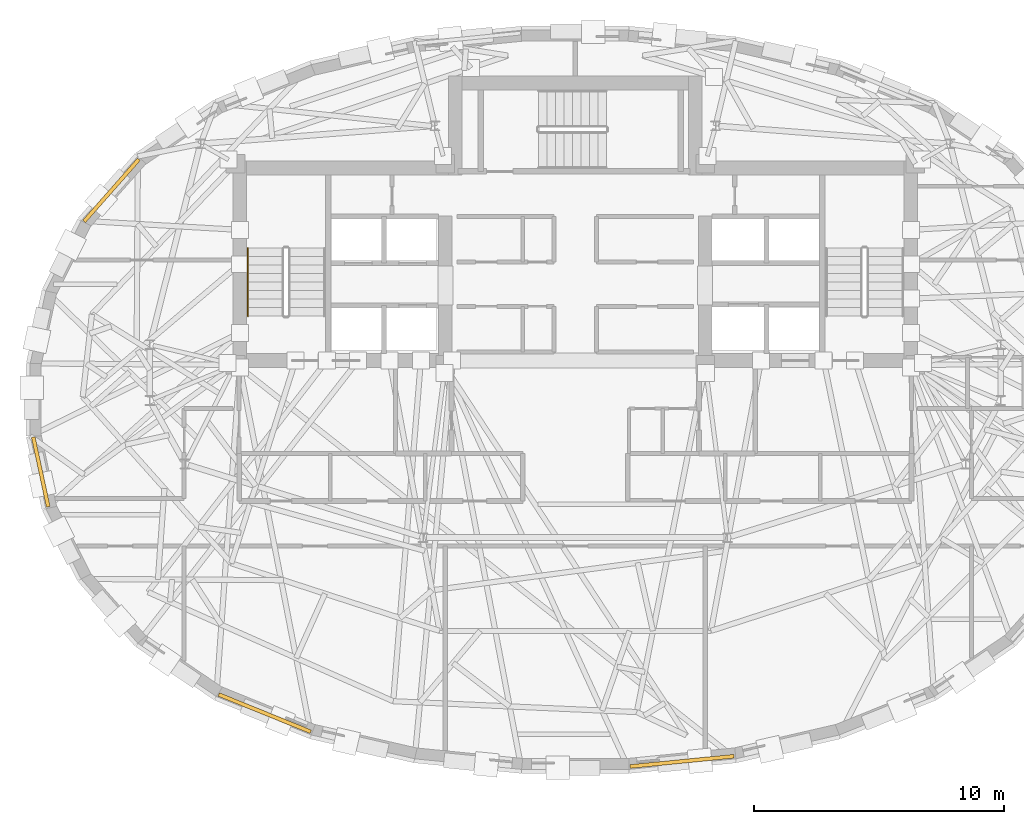
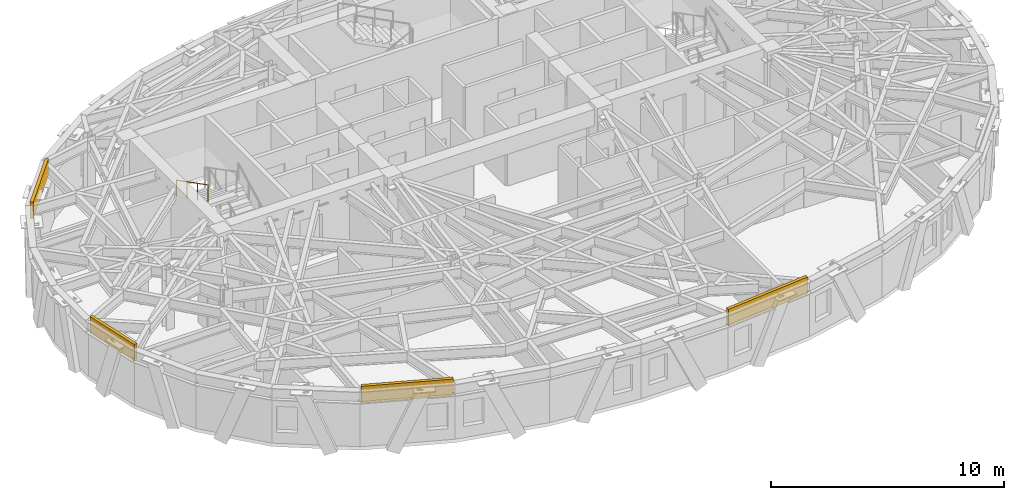
# One storey, part 10 of 12: 4 coverings, 1 railing.
"""IFC4 building model written with IfcOpenShell, lengths in metres."""

from ifc_helpers import new_model, si_unit, direction, frame, origin, origin_2d, place, context, subcontext, project, spatial, rectangle, circle, extrude, material, layer, layer_set, type_object, element, save


model = new_model("IFC4")

# Units and contexts
model_context = context("Model", 3, precision=1e-05, world=origin(), true_north=direction((0.0, 1.0)))
body_context = subcontext(model_context, "Body", "Model", "MODEL_VIEW")
ifc_project = project(units=[si_unit("LENGTHUNIT", "METRE"), si_unit("AREAUNIT", "SQUARE_METRE"), si_unit("VOLUMEUNIT", "CUBIC_METRE"), si_unit("PLANEANGLEUNIT", "RADIAN"), si_unit("MASSUNIT", "GRAM", prefix="KILO")], contexts=[model_context])

# Site, building, storey
site_placement = place(None, origin())
site = spatial("IfcSite", under=ifc_project, at=site_placement, CompositionType="ELEMENT")
building_placement = place(site_placement, origin())
building = spatial("IfcBuilding", under=site, at=building_placement, Name="Keldmark Tower", CompositionType="ELEMENT")
storey_placement = place(building_placement, frame((0.0, 0.0, 238.35009765625)))
storey = spatial("IfcBuildingStorey", under=building, at=storey_placement, Name="L67", CompositionType="ELEMENT", Elevation=238.35009765625)

# Coverings
ifc_material_1 = material(Name="Honed Kasota Buff Dolomitic Limestone", Category="masonry")
ifc_layer = layer(ifc_material_1, 0.074951171875)
ifc_layer_set = layer_set([ifc_layer], Name="Honed Kasota Buff Dolomitic Limestone")
covering_type = type_object("IfcCoveringType", Name="Kasota Buff Limestone Spandrel Cladding Band", PredefinedType="CLADDING", material=ifc_layer_set)
covering_1_placement = place(storey_placement, frame((-18.557373046875, 8.381591796875, 2.259765625), z_axis=(0.0, 0.0, 1.0), x_axis=(-0.661364231344, -0.750064899525, 0.0)))
element("IfcCovering", 1, at=covering_1_placement, inside=storey, type_object=covering_type, Name="L67 Kasota Limestone Spandrel Band 13", PredefinedType="CLADDING", context=body_context, shape_type="SweptSolid", body=[
    extrude(rectangle(XDim=3.31201171875, YDim=0.14990234375, at=origin_2d()), origin(), (0.0, 0.0, 1.0), 0.8701171875),
])
covering_2_placement = place(storey_placement, frame((-21.389404296875, -2.884033203125, 2.259765625), z_axis=(0.0, 0.0, 1.0), x_axis=(0.210540008659, -0.977585241682, 0.0)))
element("IfcCovering", 2, at=covering_2_placement, inside=storey, type_object=covering_type, Name="L67 Kasota Limestone Spandrel Band 17", PredefinedType="CLADDING", context=body_context, shape_type="SweptSolid", body=[
    extrude(rectangle(XDim=2.847412109375, YDim=0.14990234375, at=origin_2d()), origin(), (0.0, 0.0, 1.0), 0.8701171875),
])
covering_3_placement = place(storey_placement, frame((-12.426513671875, -12.53759765625, 2.259765625), z_axis=(0.0, 0.0, 1.0), x_axis=(0.92672549442, -0.375739082333, 0.0)))
element("IfcCovering", 3, at=covering_3_placement, inside=storey, type_object=covering_type, Name="L67 Kasota Limestone Spandrel Band 21", PredefinedType="CLADDING", context=body_context, shape_type="SweptSolid", body=[
    extrude(rectangle(XDim=3.976318359375, YDim=0.14990234375, at=origin_2d()), origin(), (0.0, 0.0, 1.0), 0.8701171875),
])
covering_4_placement = place(storey_placement, frame((4.276123046875, -14.467529296875, 2.259765625), z_axis=(0.0, 0.0, 1.0), x_axis=(0.995131548634, 0.098555572711, 0.0)))
element("IfcCovering", 4, at=covering_4_placement, inside=storey, type_object=covering_type, Name="L67 Kasota Limestone Spandrel Band 25", PredefinedType="CLADDING", context=body_context, shape_type="SweptSolid", body=[
    extrude(rectangle(XDim=4.17919921875, YDim=0.14990234375, at=origin_2d()), origin(), (0.0, 0.0, 1.0), 0.8701171875),
])

# Railing
ifc_material_2 = material(Name="Stainless Steel AISI 316L", Category="steel")
railing_type = type_object("IfcRailingType", Name="Stainless Steel Stair Handrail 900 mm", PredefinedType="HANDRAIL", material=ifc_material_2)
railing_placement = place(storey_placement, frame((-13.10009765625, 6.070068359375, 1.75)))
element("IfcRailing", 5, at=railing_placement, inside=storey, type_object=railing_type, Name="L67 ST1 stair handrail 2", PredefinedType="HANDRAIL", context=body_context, shape_type="SweptSolid", body=[
    extrude(circle(Radius=0.02392578125, at=origin_2d()), frame((0.0, 0.0, 0.8759765625), z_axis=(0.0, -0.889146794209, 0.457622091194), x_axis=(1.0, 0.0, 0.0)), (0.0, 0.0, 1.0), 3.05908203125),
    extrude(circle(Radius=0.02099609375, at=origin_2d()), origin(), (0.0, 0.0, 1.0), 0.851806640625),
    extrude(circle(Radius=0.02099609375, at=origin_2d()), frame((0.0, -0.90673828125, 0.466552734375)), (0.0, 0.0, 1.0), 0.851806640625),
    extrude(circle(Radius=0.02099609375, at=origin_2d()), frame((0.0, -1.813232421875, 0.933349609375)), (0.0, 0.0, 1.0), 0.851806640625),
    extrude(circle(Radius=0.02099609375, at=origin_2d()), frame((0.0, -2.719970703125, 1.39990234375)), (0.0, 0.0, 1.0), 0.851806640625),
])

save(model, "model.ifc")
